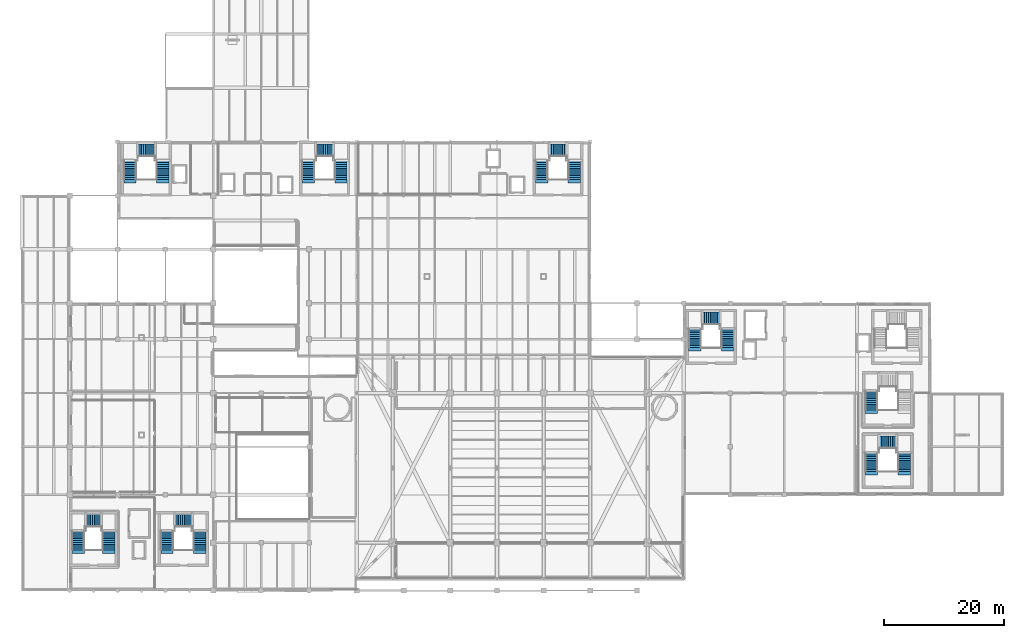
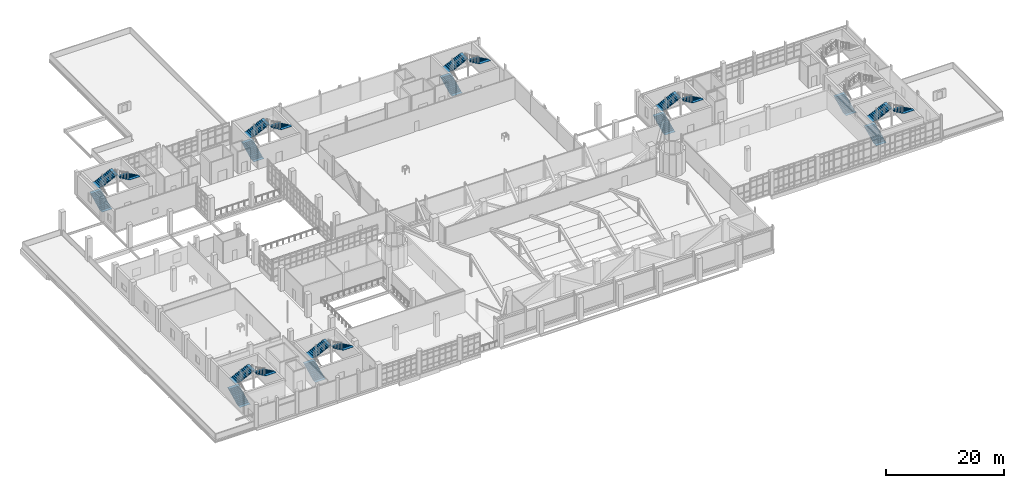
# One storey, part 118 of 127: 22 stair flights, 8 elements without a shape of their own.
"""IFC4 building model written with IfcOpenShell, lengths in metres."""

from ifc_helpers import new_model, si_unit, derived_unit, direction, frame, origin, place, context, subcontext, project, spatial, polyline, outline, extrude, material, type_object, element, aggregate, save


model = new_model("IFC4")

# Units and contexts
model_context = context("Model", 3, precision=1e-05, world=origin(), true_north=direction((0.0, 1.0)))
body_context = subcontext(model_context, "Body", "Model", "MODEL_VIEW")
ifc_project = project(units=[si_unit("LENGTHUNIT", "METRE"), si_unit("AREAUNIT", "SQUARE_METRE"), si_unit("VOLUMEUNIT", "CUBIC_METRE"), si_unit("PLANEANGLEUNIT", "RADIAN"), si_unit("MASSUNIT", "GRAM", prefix="KILO"), derived_unit("THERMALTRANSMITTANCEUNIT", [(si_unit("POWERUNIT", "WATT"), 1), (si_unit("LENGTHUNIT", "METRE"), -2), (si_unit("THERMODYNAMICTEMPERATUREUNIT", "KELVIN"), -1)])], contexts=[model_context])

# Site, building, storey
site_placement = place(None, origin())
site = spatial("IfcSite", under=ifc_project, at=site_placement, CompositionType="ELEMENT")
building_placement = place(site_placement, origin())
building = spatial("IfcBuilding", under=site, at=building_placement, Name="Nallur Shell Playhouse", CompositionType="ELEMENT")
storey_placement = place(building_placement, frame((0.0, 0.0, 5.39990234375)))
storey = spatial("IfcBuildingStorey", under=building, at=storey_placement, Name="L02", CompositionType="ELEMENT", Elevation=5.39990234375)

# Stair, stair flights
ifc_material = material(Name="Concrete M35", Category="concrete")
stair_type = type_object("IfcStairType", Name="ST-CORE-48", PredefinedType="QUARTER_TURN_STAIR", material=ifc_material)
stair_1_placement = place(storey_placement, origin())
stair_1 = element("IfcStair", 1, at=stair_1_placement, inside=storey, type_object=stair_type, Name="Core JC-1 exit stair ST-01-L02 (L02 to L03)", PredefinedType="QUARTER_TURN_STAIR")
stair_flight_type_1 = type_object("IfcStairFlightType", Name="ST-FLIGHT-208", PredefinedType="STRAIGHT", material=ifc_material)
stair_flight_1_placement = place(storey_placement, frame((32.27001953125, 14.800048828125, 0.0), z_axis=(0.0, 0.0, 1.0), x_axis=(0.0, 1.0, 0.0)))
stair_flight_1 = element("IfcStairFlight", 2, at=stair_flight_1_placement, type_object=stair_flight_type_1, Name="ST-48 flight 1", NumberOfRisers=11, NumberOfTreads=10, PredefinedType="STRAIGHT", RiserHeight=0.15, TreadLength=0.31, context=body_context, shape_type="SweptSolid", body=[
    extrude(outline(polyline([(-0.580078125, 0.0), (-0.580078125, 0.01806640625), (0.0, 0.01806640625), (0.0, 0.14990234375), (0.31005859375, 0.14990234375), (0.31005859375, 0.300048828125), (0.6201171875, 0.300048828125), (0.6201171875, 0.449951171875), (0.929931640625, 0.449951171875), (0.929931640625, 0.60009765625), (1.239990234375, 0.60009765625), (1.239990234375, 0.75), (1.550048828125, 0.75), (1.550048828125, 0.89990234375), (1.860107421875, 0.89990234375), (1.860107421875, 1.050048828125), (2.169921875, 1.050048828125), (2.169921875, 1.199951171875), (2.47998046875, 1.199951171875), (2.47998046875, 1.35009765625), (2.7900390625, 1.35009765625), (2.7900390625, 1.5), (3.10009765625, 1.5), (3.10009765625, 1.64990234375), (3.68017578125, 1.64990234375), (3.68017578125, 1.6318359375), (3.10009765625, 1.322265625), (0.3671875, 0.0), (-0.580078125, 0.0)])), frame((0.0, 1.030029296875, 0.0), z_axis=(0.0, -1.0, 0.0), x_axis=(1.0, 0.0, 0.0)), (0.0, 0.0, 1.0), 2.06005859375),
])
stair_flight_2_placement = place(storey_placement, frame((33.60498046875, 19.7099609375, 1.650146484375), z_axis=(0.0, 0.0, 1.0), x_axis=(1.0, 0.0, 0.0)))
stair_flight_2 = element("IfcStairFlight", 3, at=stair_flight_2_placement, type_object=stair_flight_type_1, Name="ST-48 flight 2", NumberOfRisers=10, NumberOfTreads=9, PredefinedType="STRAIGHT", RiserHeight=0.15, TreadLength=0.31, context=body_context, shape_type="SweptSolid", body=[
    extrude(outline(polyline([(-0.580078125, 0.0), (-0.580078125, 0.01806640625), (0.0, 0.01806640625), (0.0, 0.14990234375), (0.31005859375, 0.14990234375), (0.31005859375, 0.300048828125), (0.6201171875, 0.300048828125), (0.6201171875, 0.449951171875), (0.929931640625, 0.449951171875), (0.929931640625, 0.60009765625), (1.239990234375, 0.60009765625), (1.239990234375, 0.75), (1.550048828125, 0.75), (1.550048828125, 0.89990234375), (1.860107421875, 0.89990234375), (1.860107421875, 1.050048828125), (2.169921875, 1.050048828125), (2.169921875, 1.199951171875), (2.47998046875, 1.199951171875), (2.47998046875, 1.35009765625), (2.7900390625, 1.35009765625), (2.7900390625, 1.5), (3.3701171875, 1.5), (3.3701171875, 1.48193359375), (2.7900390625, 1.17236328125), (0.3671875, 0.0), (-0.580078125, 0.0)])), frame((0.0, 1.030029296875, 0.0), z_axis=(0.0, -1.0, 0.0), x_axis=(1.0, 0.0, 0.0)), (0.0, 0.0, 1.0), 2.06005859375),
])
stair_flight_3_placement = place(storey_placement, frame((37.72998046875, 17.89990234375, 3.150146484375), z_axis=(0.0, 0.0, 1.0), x_axis=(0.0, -1.0, 0.0)))
stair_flight_3 = element("IfcStairFlight", 4, at=stair_flight_3_placement, type_object=stair_flight_type_1, Name="ST-48 flight 3", NumberOfRisers=11, NumberOfTreads=10, PredefinedType="STRAIGHT", RiserHeight=0.15, TreadLength=0.31, context=body_context, shape_type="SweptSolid", body=[
    extrude(outline(polyline([(-0.580078125, 0.0), (-0.580078125, 0.01806640625), (0.0, 0.01806640625), (0.0, 0.14990234375), (0.31005859375, 0.14990234375), (0.31005859375, 0.300048828125), (0.6201171875, 0.300048828125), (0.6201171875, 0.449951171875), (0.929931640625, 0.449951171875), (0.929931640625, 0.60009765625), (1.239990234375, 0.60009765625), (1.239990234375, 0.75), (1.550048828125, 0.75), (1.550048828125, 0.89990234375), (1.860107421875, 0.89990234375), (1.860107421875, 1.050048828125), (2.169921875, 1.050048828125), (2.169921875, 1.199951171875), (2.47998046875, 1.199951171875), (2.47998046875, 1.35009765625), (2.7900390625, 1.35009765625), (2.7900390625, 1.5), (3.10009765625, 1.5), (3.10009765625, 1.64990234375), (3.68017578125, 1.64990234375), (3.68017578125, 1.6318359375), (3.10009765625, 1.322265625), (0.3671875, 0.0), (-0.580078125, 0.0)])), frame((0.0, 1.030029296875, 0.0), z_axis=(0.0, -1.0, 0.0), x_axis=(1.0, 0.0, 0.0)), (0.0, 0.0, 1.0), 2.06005859375),
])
aggregate(stair_1, [stair_flight_1, stair_flight_2, stair_flight_3])

stair_2_placement = place(storey_placement, origin())
stair_2 = element("IfcStair", 5, at=stair_2_placement, inside=storey, type_object=stair_type, Name="Core JC-3 exit stair ST-03-L02 (L02 to L03)", PredefinedType="QUARTER_TURN_STAIR")
stair_flight_4_placement = place(storey_placement, frame((55.8701171875, 76.699951171875, 0.0), z_axis=(0.0, 0.0, 1.0), x_axis=(0.0, 1.0, 0.0)))
stair_flight_4 = element("IfcStairFlight", 6, at=stair_flight_4_placement, type_object=stair_flight_type_1, Name="ST-48 flight 1", NumberOfRisers=11, NumberOfTreads=10, PredefinedType="STRAIGHT", RiserHeight=0.15, TreadLength=0.31, context=body_context, shape_type="SweptSolid", body=[
    extrude(outline(polyline([(-0.580078125, 0.0), (-0.580078125, 0.01806640625), (0.0, 0.01806640625), (0.0, 0.14990234375), (0.31005859375, 0.14990234375), (0.31005859375, 0.300048828125), (0.6201171875, 0.300048828125), (0.6201171875, 0.449951171875), (0.929931640625, 0.449951171875), (0.929931640625, 0.60009765625), (1.239990234375, 0.60009765625), (1.239990234375, 0.75), (1.550048828125, 0.75), (1.550048828125, 0.89990234375), (1.860107421875, 0.89990234375), (1.860107421875, 1.050048828125), (2.169921875, 1.050048828125), (2.169921875, 1.199951171875), (2.47998046875, 1.199951171875), (2.47998046875, 1.35009765625), (2.7900390625, 1.35009765625), (2.7900390625, 1.5), (3.10009765625, 1.5), (3.10009765625, 1.64990234375), (3.68017578125, 1.64990234375), (3.68017578125, 1.6318359375), (3.10009765625, 1.322265625), (0.3671875, 0.0), (-0.580078125, 0.0)])), frame((0.0, 1.030029296875, 0.0), z_axis=(0.0, -1.0, 0.0), x_axis=(1.0, 0.0, 0.0)), (0.0, 0.0, 1.0), 2.06005859375),
])
stair_flight_5_placement = place(storey_placement, frame((57.205078125, 81.610107421875, 1.650146484375), z_axis=(0.0, 0.0, 1.0), x_axis=(1.0, 0.0, 0.0)))
stair_flight_5 = element("IfcStairFlight", 7, at=stair_flight_5_placement, type_object=stair_flight_type_1, Name="ST-48 flight 2", NumberOfRisers=10, NumberOfTreads=9, PredefinedType="STRAIGHT", RiserHeight=0.15, TreadLength=0.31, context=body_context, shape_type="SweptSolid", body=[
    extrude(outline(polyline([(-0.580078125, 0.0), (-0.580078125, 0.01806640625), (0.0, 0.01806640625), (0.0, 0.14990234375), (0.31005859375, 0.14990234375), (0.31005859375, 0.300048828125), (0.6201171875, 0.300048828125), (0.6201171875, 0.449951171875), (0.929931640625, 0.449951171875), (0.929931640625, 0.60009765625), (1.239990234375, 0.60009765625), (1.239990234375, 0.75), (1.550048828125, 0.75), (1.550048828125, 0.89990234375), (1.860107421875, 0.89990234375), (1.860107421875, 1.050048828125), (2.169921875, 1.050048828125), (2.169921875, 1.199951171875), (2.47998046875, 1.199951171875), (2.47998046875, 1.35009765625), (2.7900390625, 1.35009765625), (2.7900390625, 1.5), (3.3701171875, 1.5), (3.3701171875, 1.48193359375), (2.7900390625, 1.17236328125), (0.3671875, 0.0), (-0.580078125, 0.0)])), frame((0.0, 1.030029296875, 0.0), z_axis=(0.0, -1.0, 0.0), x_axis=(1.0, 0.0, 0.0)), (0.0, 0.0, 1.0), 2.06005859375),
])
stair_flight_6_placement = place(storey_placement, frame((61.330078125, 79.800048828125, 3.150146484375), z_axis=(0.0, 0.0, 1.0), x_axis=(0.0, -1.0, 0.0)))
stair_flight_6 = element("IfcStairFlight", 8, at=stair_flight_6_placement, type_object=stair_flight_type_1, Name="ST-48 flight 3", NumberOfRisers=11, NumberOfTreads=10, PredefinedType="STRAIGHT", RiserHeight=0.15, TreadLength=0.31, context=body_context, shape_type="SweptSolid", body=[
    extrude(outline(polyline([(-0.580078125, 0.0), (-0.580078125, 0.01806640625), (0.0, 0.01806640625), (0.0, 0.14990234375), (0.31005859375, 0.14990234375), (0.31005859375, 0.300048828125), (0.6201171875, 0.300048828125), (0.6201171875, 0.449951171875), (0.929931640625, 0.449951171875), (0.929931640625, 0.60009765625), (1.239990234375, 0.60009765625), (1.239990234375, 0.75), (1.550048828125, 0.75), (1.550048828125, 0.89990234375), (1.860107421875, 0.89990234375), (1.860107421875, 1.050048828125), (2.169921875, 1.050048828125), (2.169921875, 1.199951171875), (2.47998046875, 1.199951171875), (2.47998046875, 1.35009765625), (2.7900390625, 1.35009765625), (2.7900390625, 1.5), (3.10009765625, 1.5), (3.10009765625, 1.64990234375), (3.68017578125, 1.64990234375), (3.68017578125, 1.6318359375), (3.10009765625, 1.322265625), (0.3671875, 0.0), (-0.580078125, 0.0)])), frame((0.0, 1.030029296875, 0.0), z_axis=(0.0, -1.0, 0.0), x_axis=(1.0, 0.0, 0.0)), (0.0, 0.0, 1.0), 2.06005859375),
])
aggregate(stair_2, [stair_flight_4, stair_flight_5, stair_flight_6])

stair_3_placement = place(storey_placement, origin())
stair_3 = element("IfcStair", 9, at=stair_3_placement, inside=storey, type_object=stair_type, Name="Core JC-6 exit stair ST-06-L02 (L02 to L03)", PredefinedType="QUARTER_TURN_STAIR")
stair_flight_7_placement = place(storey_placement, frame((26.070068359375, 76.699951171875, 0.0), z_axis=(0.0, 0.0, 1.0), x_axis=(0.0, 1.0, 0.0)))
stair_flight_7 = element("IfcStairFlight", 10, at=stair_flight_7_placement, type_object=stair_flight_type_1, Name="ST-48 flight 1", NumberOfRisers=11, NumberOfTreads=10, PredefinedType="STRAIGHT", RiserHeight=0.15, TreadLength=0.31, context=body_context, shape_type="SweptSolid", body=[
    extrude(outline(polyline([(-0.580078125, 0.0), (-0.580078125, 0.01806640625), (0.0, 0.01806640625), (0.0, 0.14990234375), (0.31005859375, 0.14990234375), (0.31005859375, 0.300048828125), (0.6201171875, 0.300048828125), (0.6201171875, 0.449951171875), (0.929931640625, 0.449951171875), (0.929931640625, 0.60009765625), (1.239990234375, 0.60009765625), (1.239990234375, 0.75), (1.550048828125, 0.75), (1.550048828125, 0.89990234375), (1.860107421875, 0.89990234375), (1.860107421875, 1.050048828125), (2.169921875, 1.050048828125), (2.169921875, 1.199951171875), (2.47998046875, 1.199951171875), (2.47998046875, 1.35009765625), (2.7900390625, 1.35009765625), (2.7900390625, 1.5), (3.10009765625, 1.5), (3.10009765625, 1.64990234375), (3.68017578125, 1.64990234375), (3.68017578125, 1.6318359375), (3.10009765625, 1.322265625), (0.3671875, 0.0), (-0.580078125, 0.0)])), frame((0.0, 1.030029296875, 0.0), z_axis=(0.0, -1.0, 0.0), x_axis=(1.0, 0.0, 0.0)), (0.0, 0.0, 1.0), 2.06005859375),
])
stair_flight_8_placement = place(storey_placement, frame((27.405029296875, 81.610107421875, 1.650146484375), z_axis=(0.0, 0.0, 1.0), x_axis=(1.0, 0.0, 0.0)))
stair_flight_8 = element("IfcStairFlight", 11, at=stair_flight_8_placement, type_object=stair_flight_type_1, Name="ST-48 flight 2", NumberOfRisers=10, NumberOfTreads=9, PredefinedType="STRAIGHT", RiserHeight=0.15, TreadLength=0.31, context=body_context, shape_type="SweptSolid", body=[
    extrude(outline(polyline([(-0.580078125, 0.0), (-0.580078125, 0.01806640625), (0.0, 0.01806640625), (0.0, 0.14990234375), (0.31005859375, 0.14990234375), (0.31005859375, 0.300048828125), (0.6201171875, 0.300048828125), (0.6201171875, 0.449951171875), (0.929931640625, 0.449951171875), (0.929931640625, 0.60009765625), (1.239990234375, 0.60009765625), (1.239990234375, 0.75), (1.550048828125, 0.75), (1.550048828125, 0.89990234375), (1.860107421875, 0.89990234375), (1.860107421875, 1.050048828125), (2.169921875, 1.050048828125), (2.169921875, 1.199951171875), (2.47998046875, 1.199951171875), (2.47998046875, 1.35009765625), (2.7900390625, 1.35009765625), (2.7900390625, 1.5), (3.3701171875, 1.5), (3.3701171875, 1.48193359375), (2.7900390625, 1.17236328125), (0.3671875, 0.0), (-0.580078125, 0.0)])), frame((0.0, 1.030029296875, 0.0), z_axis=(0.0, -1.0, 0.0), x_axis=(1.0, 0.0, 0.0)), (0.0, 0.0, 1.0), 2.06005859375),
])
stair_flight_9_placement = place(storey_placement, frame((31.530029296875, 79.800048828125, 3.150146484375), z_axis=(0.0, 0.0, 1.0), x_axis=(0.0, -1.0, 0.0)))
stair_flight_9 = element("IfcStairFlight", 12, at=stair_flight_9_placement, type_object=stair_flight_type_1, Name="ST-48 flight 3", NumberOfRisers=11, NumberOfTreads=10, PredefinedType="STRAIGHT", RiserHeight=0.15, TreadLength=0.31, context=body_context, shape_type="SweptSolid", body=[
    extrude(outline(polyline([(-0.580078125, 0.0), (-0.580078125, 0.01806640625), (0.0, 0.01806640625), (0.0, 0.14990234375), (0.31005859375, 0.14990234375), (0.31005859375, 0.300048828125), (0.6201171875, 0.300048828125), (0.6201171875, 0.449951171875), (0.929931640625, 0.449951171875), (0.929931640625, 0.60009765625), (1.239990234375, 0.60009765625), (1.239990234375, 0.75), (1.550048828125, 0.75), (1.550048828125, 0.89990234375), (1.860107421875, 0.89990234375), (1.860107421875, 1.050048828125), (2.169921875, 1.050048828125), (2.169921875, 1.199951171875), (2.47998046875, 1.199951171875), (2.47998046875, 1.35009765625), (2.7900390625, 1.35009765625), (2.7900390625, 1.5), (3.10009765625, 1.5), (3.10009765625, 1.64990234375), (3.68017578125, 1.64990234375), (3.68017578125, 1.6318359375), (3.10009765625, 1.322265625), (0.3671875, 0.0), (-0.580078125, 0.0)])), frame((0.0, 1.030029296875, 0.0), z_axis=(0.0, -1.0, 0.0), x_axis=(1.0, 0.0, 0.0)), (0.0, 0.0, 1.0), 2.06005859375),
])
aggregate(stair_3, [stair_flight_7, stair_flight_8, stair_flight_9])

# Stair, stair flight
stair_4_placement = place(storey_placement, origin())
stair_4 = element("IfcStair", 13, at=stair_4_placement, inside=storey, type_object=stair_type, Name="Core JC-9 exit stair ST-09-L02 (L02 to L03)", PredefinedType="QUARTER_TURN_STAIR")
stair_flight_10_placement = place(storey_placement, frame((149.969970703125, 38.199951171875, 0.0), z_axis=(0.0, 0.0, 1.0), x_axis=(0.0, 1.0, 0.0)))
stair_flight_10 = element("IfcStairFlight", 14, at=stair_flight_10_placement, type_object=stair_flight_type_1, Name="ST-48 flight 1", NumberOfRisers=11, NumberOfTreads=10, PredefinedType="STRAIGHT", RiserHeight=0.15, TreadLength=0.31, context=body_context, shape_type="SweptSolid", body=[
    extrude(outline(polyline([(-0.580078125, 0.0), (-0.580078125, 0.01806640625), (0.0, 0.01806640625), (0.0, 0.14990234375), (0.31005859375, 0.14990234375), (0.31005859375, 0.300048828125), (0.6201171875, 0.300048828125), (0.6201171875, 0.449951171875), (0.929931640625, 0.449951171875), (0.929931640625, 0.60009765625), (1.239990234375, 0.60009765625), (1.239990234375, 0.75), (1.550048828125, 0.75), (1.550048828125, 0.89990234375), (1.860107421875, 0.89990234375), (1.860107421875, 1.050048828125), (2.169921875, 1.050048828125), (2.169921875, 1.199951171875), (2.47998046875, 1.199951171875), (2.47998046875, 1.35009765625), (2.7900390625, 1.35009765625), (2.7900390625, 1.5), (3.10009765625, 1.5), (3.10009765625, 1.64990234375), (3.68017578125, 1.64990234375), (3.68017578125, 1.6318359375), (3.10009765625, 1.322265625), (0.3671875, 0.0), (-0.580078125, 0.0)])), frame((0.0, 1.030029296875, 0.0), z_axis=(0.0, -1.0, 0.0), x_axis=(1.0, 0.0, 0.0)), (0.0, 0.0, 1.0), 2.06005859375),
])
aggregate(stair_4, [stair_flight_10])

# Stair, stair flights
stair_5_placement = place(storey_placement, origin())
stair_5 = element("IfcStair", 15, at=stair_5_placement, inside=storey, type_object=stair_type, Name="Core JC-2 exit stair ST-02-L02 (L02 to L03)", PredefinedType="QUARTER_TURN_STAIR")
stair_flight_type_2 = type_object("IfcStairFlightType", Name="ST-FLIGHT-212", PredefinedType="STRAIGHT", material=ifc_material)
stair_flight_11_placement = place(storey_placement, frame((120.469970703125, 48.60009765625, 0.0), z_axis=(0.0, 0.0, 1.0), x_axis=(0.0, 1.0, 0.0)))
stair_flight_11 = element("IfcStairFlight", 16, at=stair_flight_11_placement, type_object=stair_flight_type_2, Name="ST-48 flight 1", NumberOfRisers=11, NumberOfTreads=10, PredefinedType="STRAIGHT", RiserHeight=0.15, TreadLength=0.31, context=body_context, shape_type="SweptSolid", body=[
    extrude(outline(polyline([(-0.580078125, 0.0), (-0.580078125, 0.01806640625), (0.0, 0.01806640625), (0.0, 0.14990234375), (0.31005859375, 0.14990234375), (0.31005859375, 0.300048828125), (0.6201171875, 0.300048828125), (0.6201171875, 0.449951171875), (0.929931640625, 0.449951171875), (0.929931640625, 0.60009765625), (1.239990234375, 0.60009765625), (1.239990234375, 0.75), (1.550048828125, 0.75), (1.550048828125, 0.89990234375), (1.860107421875, 0.89990234375), (1.860107421875, 1.050048828125), (2.169921875, 1.050048828125), (2.169921875, 1.199951171875), (2.47998046875, 1.199951171875), (2.47998046875, 1.35009765625), (2.7900390625, 1.35009765625), (2.7900390625, 1.5), (3.10009765625, 1.5), (3.10009765625, 1.64990234375), (3.68017578125, 1.64990234375), (3.68017578125, 1.6318359375), (3.10009765625, 1.322265625), (0.3671875, 0.0), (-0.580078125, 0.0)])), frame((0.0, 1.030029296875, 0.0), z_axis=(0.0, -1.0, 0.0), x_axis=(1.0, 0.0, 0.0)), (0.0, 0.0, 1.0), 2.06005859375),
])
stair_flight_12_placement = place(storey_placement, frame((121.804931640625, 53.510009765625, 1.650146484375), z_axis=(0.0, 0.0, 1.0), x_axis=(1.0, 0.0, 0.0)))
stair_flight_12 = element("IfcStairFlight", 17, at=stair_flight_12_placement, type_object=stair_flight_type_2, Name="ST-48 flight 2", NumberOfRisers=10, NumberOfTreads=9, PredefinedType="STRAIGHT", RiserHeight=0.15, TreadLength=0.31, context=body_context, shape_type="SweptSolid", body=[
    extrude(outline(polyline([(-0.580078125, 0.0), (-0.580078125, 0.01806640625), (0.0, 0.01806640625), (0.0, 0.14990234375), (0.31005859375, 0.14990234375), (0.31005859375, 0.300048828125), (0.6201171875, 0.300048828125), (0.6201171875, 0.449951171875), (0.929931640625, 0.449951171875), (0.929931640625, 0.60009765625), (1.239990234375, 0.60009765625), (1.239990234375, 0.75), (1.550048828125, 0.75), (1.550048828125, 0.89990234375), (1.860107421875, 0.89990234375), (1.860107421875, 1.050048828125), (2.169921875, 1.050048828125), (2.169921875, 1.199951171875), (2.47998046875, 1.199951171875), (2.47998046875, 1.35009765625), (2.7900390625, 1.35009765625), (2.7900390625, 1.5), (3.3701171875, 1.5), (3.3701171875, 1.48193359375), (2.7900390625, 1.17236328125), (0.3671875, 0.0), (-0.580078125, 0.0)])), frame((0.0, 1.030029296875, 0.0), z_axis=(0.0, -1.0, 0.0), x_axis=(1.0, 0.0, 0.0)), (0.0, 0.0, 1.0), 2.06005859375),
])
stair_flight_13_placement = place(storey_placement, frame((125.929931640625, 51.699951171875, 3.150146484375), z_axis=(0.0, 0.0, 1.0), x_axis=(0.0, -1.0, 0.0)))
stair_flight_13 = element("IfcStairFlight", 18, at=stair_flight_13_placement, type_object=stair_flight_type_2, Name="ST-48 flight 3", NumberOfRisers=11, NumberOfTreads=10, PredefinedType="STRAIGHT", RiserHeight=0.15, TreadLength=0.31, context=body_context, shape_type="SweptSolid", body=[
    extrude(outline(polyline([(-0.580078125, 0.0), (-0.580078125, 0.01806640625), (0.0, 0.01806640625), (0.0, 0.14990234375), (0.31005859375, 0.14990234375), (0.31005859375, 0.300048828125), (0.6201171875, 0.300048828125), (0.6201171875, 0.449951171875), (0.929931640625, 0.449951171875), (0.929931640625, 0.60009765625), (1.239990234375, 0.60009765625), (1.239990234375, 0.75), (1.550048828125, 0.75), (1.550048828125, 0.89990234375), (1.860107421875, 0.89990234375), (1.860107421875, 1.050048828125), (2.169921875, 1.050048828125), (2.169921875, 1.199951171875), (2.47998046875, 1.199951171875), (2.47998046875, 1.35009765625), (2.7900390625, 1.35009765625), (2.7900390625, 1.5), (3.10009765625, 1.5), (3.10009765625, 1.64990234375), (3.68017578125, 1.64990234375), (3.68017578125, 1.6318359375), (3.10009765625, 1.322265625), (0.3671875, 0.0), (-0.580078125, 0.0)])), frame((0.0, 1.030029296875, 0.0), z_axis=(0.0, -1.0, 0.0), x_axis=(1.0, 0.0, 0.0)), (0.0, 0.0, 1.0), 2.06005859375),
])
aggregate(stair_5, [stair_flight_11, stair_flight_12, stair_flight_13])

stair_6_placement = place(storey_placement, origin())
stair_6 = element("IfcStair", 19, at=stair_6_placement, inside=storey, type_object=stair_type, Name="Core JC-4 exit stair ST-04-L02 (L02 to L03)", PredefinedType="QUARTER_TURN_STAIR")
stair_flight_14_placement = place(storey_placement, frame((94.8701171875, 76.699951171875, 0.0), z_axis=(0.0, 0.0, 1.0), x_axis=(0.0, 1.0, 0.0)))
stair_flight_14 = element("IfcStairFlight", 20, at=stair_flight_14_placement, type_object=stair_flight_type_2, Name="ST-48 flight 1", NumberOfRisers=11, NumberOfTreads=10, PredefinedType="STRAIGHT", RiserHeight=0.15, TreadLength=0.31, context=body_context, shape_type="SweptSolid", body=[
    extrude(outline(polyline([(-0.580078125, 0.0), (-0.580078125, 0.01806640625), (0.0, 0.01806640625), (0.0, 0.14990234375), (0.31005859375, 0.14990234375), (0.31005859375, 0.300048828125), (0.6201171875, 0.300048828125), (0.6201171875, 0.449951171875), (0.929931640625, 0.449951171875), (0.929931640625, 0.60009765625), (1.239990234375, 0.60009765625), (1.239990234375, 0.75), (1.550048828125, 0.75), (1.550048828125, 0.89990234375), (1.860107421875, 0.89990234375), (1.860107421875, 1.050048828125), (2.169921875, 1.050048828125), (2.169921875, 1.199951171875), (2.47998046875, 1.199951171875), (2.47998046875, 1.35009765625), (2.7900390625, 1.35009765625), (2.7900390625, 1.5), (3.10009765625, 1.5), (3.10009765625, 1.64990234375), (3.68017578125, 1.64990234375), (3.68017578125, 1.6318359375), (3.10009765625, 1.322265625), (0.3671875, 0.0), (-0.580078125, 0.0)])), frame((0.0, 1.030029296875, 0.0), z_axis=(0.0, -1.0, 0.0), x_axis=(1.0, 0.0, 0.0)), (0.0, 0.0, 1.0), 2.06005859375),
])
stair_flight_15_placement = place(storey_placement, frame((96.205078125, 81.610107421875, 1.650146484375), z_axis=(0.0, 0.0, 1.0), x_axis=(1.0, 0.0, 0.0)))
stair_flight_15 = element("IfcStairFlight", 21, at=stair_flight_15_placement, type_object=stair_flight_type_2, Name="ST-48 flight 2", NumberOfRisers=10, NumberOfTreads=9, PredefinedType="STRAIGHT", RiserHeight=0.15, TreadLength=0.31, context=body_context, shape_type="SweptSolid", body=[
    extrude(outline(polyline([(-0.580078125, 0.0), (-0.580078125, 0.01806640625), (0.0, 0.01806640625), (0.0, 0.14990234375), (0.31005859375, 0.14990234375), (0.31005859375, 0.300048828125), (0.6201171875, 0.300048828125), (0.6201171875, 0.449951171875), (0.929931640625, 0.449951171875), (0.929931640625, 0.60009765625), (1.239990234375, 0.60009765625), (1.239990234375, 0.75), (1.550048828125, 0.75), (1.550048828125, 0.89990234375), (1.860107421875, 0.89990234375), (1.860107421875, 1.050048828125), (2.169921875, 1.050048828125), (2.169921875, 1.199951171875), (2.47998046875, 1.199951171875), (2.47998046875, 1.35009765625), (2.7900390625, 1.35009765625), (2.7900390625, 1.5), (3.3701171875, 1.5), (3.3701171875, 1.48193359375), (2.7900390625, 1.17236328125), (0.3671875, 0.0), (-0.580078125, 0.0)])), frame((0.0, 1.030029296875, 0.0), z_axis=(0.0, -1.0, 0.0), x_axis=(1.0, 0.0, 0.0)), (0.0, 0.0, 1.0), 2.06005859375),
])
stair_flight_16_placement = place(storey_placement, frame((100.330078125, 79.800048828125, 3.150146484375), z_axis=(0.0, 0.0, 1.0), x_axis=(0.0, -1.0, 0.0)))
stair_flight_16 = element("IfcStairFlight", 22, at=stair_flight_16_placement, type_object=stair_flight_type_2, Name="ST-48 flight 3", NumberOfRisers=11, NumberOfTreads=10, PredefinedType="STRAIGHT", RiserHeight=0.15, TreadLength=0.31, context=body_context, shape_type="SweptSolid", body=[
    extrude(outline(polyline([(-0.580078125, 0.0), (-0.580078125, 0.01806640625), (0.0, 0.01806640625), (0.0, 0.14990234375), (0.31005859375, 0.14990234375), (0.31005859375, 0.300048828125), (0.6201171875, 0.300048828125), (0.6201171875, 0.449951171875), (0.929931640625, 0.449951171875), (0.929931640625, 0.60009765625), (1.239990234375, 0.60009765625), (1.239990234375, 0.75), (1.550048828125, 0.75), (1.550048828125, 0.89990234375), (1.860107421875, 0.89990234375), (1.860107421875, 1.050048828125), (2.169921875, 1.050048828125), (2.169921875, 1.199951171875), (2.47998046875, 1.199951171875), (2.47998046875, 1.35009765625), (2.7900390625, 1.35009765625), (2.7900390625, 1.5), (3.10009765625, 1.5), (3.10009765625, 1.64990234375), (3.68017578125, 1.64990234375), (3.68017578125, 1.6318359375), (3.10009765625, 1.322265625), (0.3671875, 0.0), (-0.580078125, 0.0)])), frame((0.0, 1.030029296875, 0.0), z_axis=(0.0, -1.0, 0.0), x_axis=(1.0, 0.0, 0.0)), (0.0, 0.0, 1.0), 2.06005859375),
])
aggregate(stair_6, [stair_flight_14, stair_flight_15, stair_flight_16])

stair_7_placement = place(storey_placement, origin())
stair_7 = element("IfcStair", 23, at=stair_7_placement, inside=storey, type_object=stair_type, Name="Core JC-7 exit stair ST-07-L02 (L02 to L03)", PredefinedType="QUARTER_TURN_STAIR")
stair_flight_17_placement = place(storey_placement, frame((17.419921875, 14.800048828125, 0.0), z_axis=(0.0, 0.0, 1.0), x_axis=(0.0, 1.0, 0.0)))
stair_flight_17 = element("IfcStairFlight", 24, at=stair_flight_17_placement, type_object=stair_flight_type_2, Name="ST-48 flight 1", NumberOfRisers=11, NumberOfTreads=10, PredefinedType="STRAIGHT", RiserHeight=0.15, TreadLength=0.31, context=body_context, shape_type="SweptSolid", body=[
    extrude(outline(polyline([(-0.580078125, 0.0), (-0.580078125, 0.01806640625), (0.0, 0.01806640625), (0.0, 0.14990234375), (0.31005859375, 0.14990234375), (0.31005859375, 0.300048828125), (0.6201171875, 0.300048828125), (0.6201171875, 0.449951171875), (0.929931640625, 0.449951171875), (0.929931640625, 0.60009765625), (1.239990234375, 0.60009765625), (1.239990234375, 0.75), (1.550048828125, 0.75), (1.550048828125, 0.89990234375), (1.860107421875, 0.89990234375), (1.860107421875, 1.050048828125), (2.169921875, 1.050048828125), (2.169921875, 1.199951171875), (2.47998046875, 1.199951171875), (2.47998046875, 1.35009765625), (2.7900390625, 1.35009765625), (2.7900390625, 1.5), (3.10009765625, 1.5), (3.10009765625, 1.64990234375), (3.68017578125, 1.64990234375), (3.68017578125, 1.6318359375), (3.10009765625, 1.322265625), (0.3671875, 0.0), (-0.580078125, 0.0)])), frame((0.0, 1.030029296875, 0.0), z_axis=(0.0, -1.0, 0.0), x_axis=(1.0, 0.0, 0.0)), (0.0, 0.0, 1.0), 2.06005859375),
])
stair_flight_18_placement = place(storey_placement, frame((18.580078125, 19.7099609375, 1.650146484375), z_axis=(0.0, 0.0, 1.0), x_axis=(1.0, 0.0, 0.0)))
stair_flight_18 = element("IfcStairFlight", 25, at=stair_flight_18_placement, type_object=stair_flight_type_2, Name="ST-48 flight 2", NumberOfRisers=10, NumberOfTreads=9, PredefinedType="STRAIGHT", RiserHeight=0.15, TreadLength=0.31, context=body_context, shape_type="SweptSolid", body=[
    extrude(outline(polyline([(-0.580078125, 0.0), (-0.580078125, 0.01806640625), (0.0, 0.01806640625), (0.0, 0.14990234375), (0.31005859375, 0.14990234375), (0.31005859375, 0.300048828125), (0.6201171875, 0.300048828125), (0.6201171875, 0.449951171875), (0.929931640625, 0.449951171875), (0.929931640625, 0.60009765625), (1.239990234375, 0.60009765625), (1.239990234375, 0.75), (1.550048828125, 0.75), (1.550048828125, 0.89990234375), (1.860107421875, 0.89990234375), (1.860107421875, 1.050048828125), (2.169921875, 1.050048828125), (2.169921875, 1.199951171875), (2.47998046875, 1.199951171875), (2.47998046875, 1.35009765625), (2.7900390625, 1.35009765625), (2.7900390625, 1.5), (3.3701171875, 1.5), (3.3701171875, 1.48193359375), (2.7900390625, 1.17236328125), (0.3671875, 0.0), (-0.580078125, 0.0)])), frame((0.0, 1.030029296875, 0.0), z_axis=(0.0, -1.0, 0.0), x_axis=(1.0, 0.0, 0.0)), (0.0, 0.0, 1.0), 2.06005859375),
])
stair_flight_19_placement = place(storey_placement, frame((22.530029296875, 17.89990234375, 3.150146484375), z_axis=(0.0, 0.0, 1.0), x_axis=(0.0, -1.0, 0.0)))
stair_flight_19 = element("IfcStairFlight", 26, at=stair_flight_19_placement, type_object=stair_flight_type_2, Name="ST-48 flight 3", NumberOfRisers=11, NumberOfTreads=10, PredefinedType="STRAIGHT", RiserHeight=0.15, TreadLength=0.31, context=body_context, shape_type="SweptSolid", body=[
    extrude(outline(polyline([(-0.580078125, 0.0), (-0.580078125, 0.01806640625), (0.0, 0.01806640625), (0.0, 0.14990234375), (0.31005859375, 0.14990234375), (0.31005859375, 0.300048828125), (0.6201171875, 0.300048828125), (0.6201171875, 0.449951171875), (0.929931640625, 0.449951171875), (0.929931640625, 0.60009765625), (1.239990234375, 0.60009765625), (1.239990234375, 0.75), (1.550048828125, 0.75), (1.550048828125, 0.89990234375), (1.860107421875, 0.89990234375), (1.860107421875, 1.050048828125), (2.169921875, 1.050048828125), (2.169921875, 1.199951171875), (2.47998046875, 1.199951171875), (2.47998046875, 1.35009765625), (2.7900390625, 1.35009765625), (2.7900390625, 1.5), (3.10009765625, 1.5), (3.10009765625, 1.64990234375), (3.68017578125, 1.64990234375), (3.68017578125, 1.6318359375), (3.10009765625, 1.322265625), (0.3671875, 0.0), (-0.580078125, 0.0)])), frame((0.0, 1.030029296875, 0.0), z_axis=(0.0, -1.0, 0.0), x_axis=(1.0, 0.0, 0.0)), (0.0, 0.0, 1.0), 2.06005859375),
])
aggregate(stair_7, [stair_flight_17, stair_flight_18, stair_flight_19])

stair_8_placement = place(storey_placement, origin())
stair_8 = element("IfcStair", 27, at=stair_8_placement, inside=storey, type_object=stair_type, Name="Core JC-8 exit stair ST-08-L02 (L02 to L03)", PredefinedType="QUARTER_TURN_STAIR")
stair_flight_20_placement = place(storey_placement, frame((149.969970703125, 27.89990234375, 0.0), z_axis=(0.0, 0.0, 1.0), x_axis=(0.0, 1.0, 0.0)))
stair_flight_20 = element("IfcStairFlight", 28, at=stair_flight_20_placement, type_object=stair_flight_type_2, Name="ST-48 flight 1", NumberOfRisers=11, NumberOfTreads=10, PredefinedType="STRAIGHT", RiserHeight=0.15, TreadLength=0.31, context=body_context, shape_type="SweptSolid", body=[
    extrude(outline(polyline([(-0.580078125, 0.0), (-0.580078125, 0.01806640625), (0.0, 0.01806640625), (0.0, 0.14990234375), (0.31005859375, 0.14990234375), (0.31005859375, 0.300048828125), (0.6201171875, 0.300048828125), (0.6201171875, 0.449951171875), (0.929931640625, 0.449951171875), (0.929931640625, 0.60009765625), (1.239990234375, 0.60009765625), (1.239990234375, 0.75), (1.550048828125, 0.75), (1.550048828125, 0.89990234375), (1.860107421875, 0.89990234375), (1.860107421875, 1.050048828125), (2.169921875, 1.050048828125), (2.169921875, 1.199951171875), (2.47998046875, 1.199951171875), (2.47998046875, 1.35009765625), (2.7900390625, 1.35009765625), (2.7900390625, 1.5), (3.10009765625, 1.5), (3.10009765625, 1.64990234375), (3.68017578125, 1.64990234375), (3.68017578125, 1.6318359375), (3.10009765625, 1.322265625), (0.3671875, 0.0), (-0.580078125, 0.0)])), frame((0.0, 1.030029296875, 0.0), z_axis=(0.0, -1.0, 0.0), x_axis=(1.0, 0.0, 0.0)), (0.0, 0.0, 1.0), 2.06005859375),
])
stair_flight_21_placement = place(storey_placement, frame((151.304931640625, 32.81005859375, 1.650146484375), z_axis=(0.0, 0.0, 1.0), x_axis=(1.0, 0.0, 0.0)))
stair_flight_21 = element("IfcStairFlight", 29, at=stair_flight_21_placement, type_object=stair_flight_type_2, Name="ST-48 flight 2", NumberOfRisers=10, NumberOfTreads=9, PredefinedType="STRAIGHT", RiserHeight=0.15, TreadLength=0.31, context=body_context, shape_type="SweptSolid", body=[
    extrude(outline(polyline([(-0.580078125, 0.0), (-0.580078125, 0.01806640625), (0.0, 0.01806640625), (0.0, 0.14990234375), (0.31005859375, 0.14990234375), (0.31005859375, 0.300048828125), (0.6201171875, 0.300048828125), (0.6201171875, 0.449951171875), (0.929931640625, 0.449951171875), (0.929931640625, 0.60009765625), (1.239990234375, 0.60009765625), (1.239990234375, 0.75), (1.550048828125, 0.75), (1.550048828125, 0.89990234375), (1.860107421875, 0.89990234375), (1.860107421875, 1.050048828125), (2.169921875, 1.050048828125), (2.169921875, 1.199951171875), (2.47998046875, 1.199951171875), (2.47998046875, 1.35009765625), (2.7900390625, 1.35009765625), (2.7900390625, 1.5), (3.3701171875, 1.5), (3.3701171875, 1.48193359375), (2.7900390625, 1.17236328125), (0.3671875, 0.0), (-0.580078125, 0.0)])), frame((0.0, 1.030029296875, 0.0), z_axis=(0.0, -1.0, 0.0), x_axis=(1.0, 0.0, 0.0)), (0.0, 0.0, 1.0), 2.06005859375),
])
stair_flight_22_placement = place(storey_placement, frame((155.429931640625, 31.0, 3.150146484375), z_axis=(0.0, 0.0, 1.0), x_axis=(0.0, -1.0, 0.0)))
stair_flight_22 = element("IfcStairFlight", 30, at=stair_flight_22_placement, type_object=stair_flight_type_2, Name="ST-48 flight 3", NumberOfRisers=11, NumberOfTreads=10, PredefinedType="STRAIGHT", RiserHeight=0.15, TreadLength=0.31, context=body_context, shape_type="SweptSolid", body=[
    extrude(outline(polyline([(-0.580078125, 0.0), (-0.580078125, 0.01806640625), (0.0, 0.01806640625), (0.0, 0.14990234375), (0.31005859375, 0.14990234375), (0.31005859375, 0.300048828125), (0.6201171875, 0.300048828125), (0.6201171875, 0.449951171875), (0.929931640625, 0.449951171875), (0.929931640625, 0.60009765625), (1.239990234375, 0.60009765625), (1.239990234375, 0.75), (1.550048828125, 0.75), (1.550048828125, 0.89990234375), (1.860107421875, 0.89990234375), (1.860107421875, 1.050048828125), (2.169921875, 1.050048828125), (2.169921875, 1.199951171875), (2.47998046875, 1.199951171875), (2.47998046875, 1.35009765625), (2.7900390625, 1.35009765625), (2.7900390625, 1.5), (3.10009765625, 1.5), (3.10009765625, 1.64990234375), (3.68017578125, 1.64990234375), (3.68017578125, 1.6318359375), (3.10009765625, 1.322265625), (0.3671875, 0.0), (-0.580078125, 0.0)])), frame((0.0, 1.030029296875, 0.0), z_axis=(0.0, -1.0, 0.0), x_axis=(1.0, 0.0, 0.0)), (0.0, 0.0, 1.0), 2.06005859375),
])
aggregate(stair_8, [stair_flight_20, stair_flight_21, stair_flight_22])

save(model, "model.ifc")
